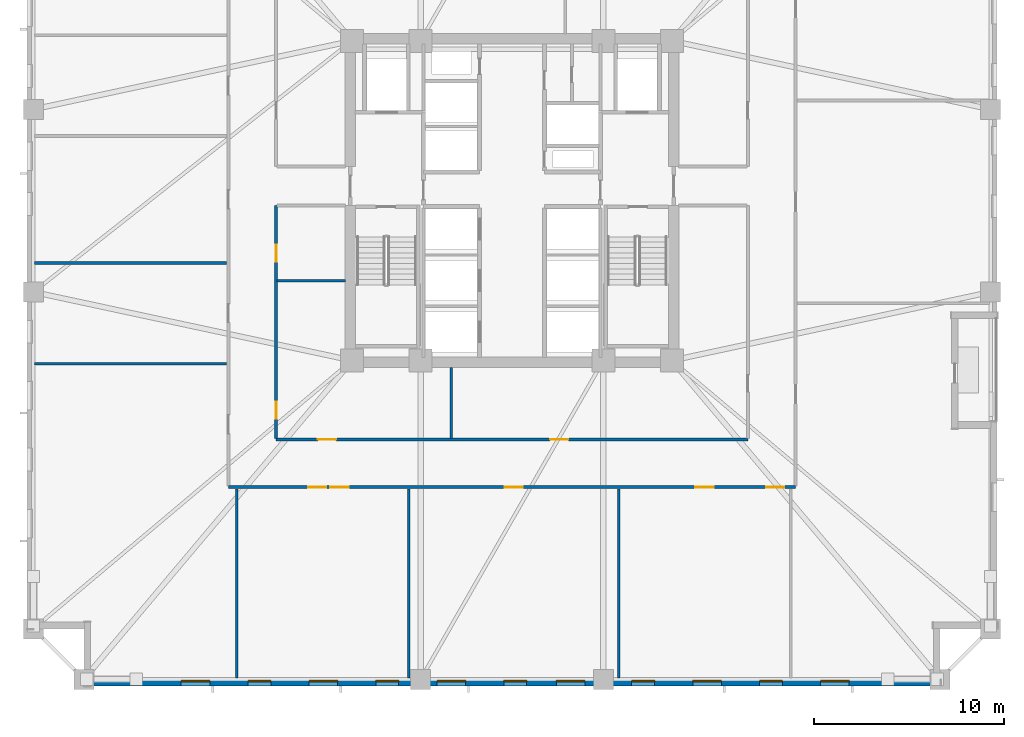
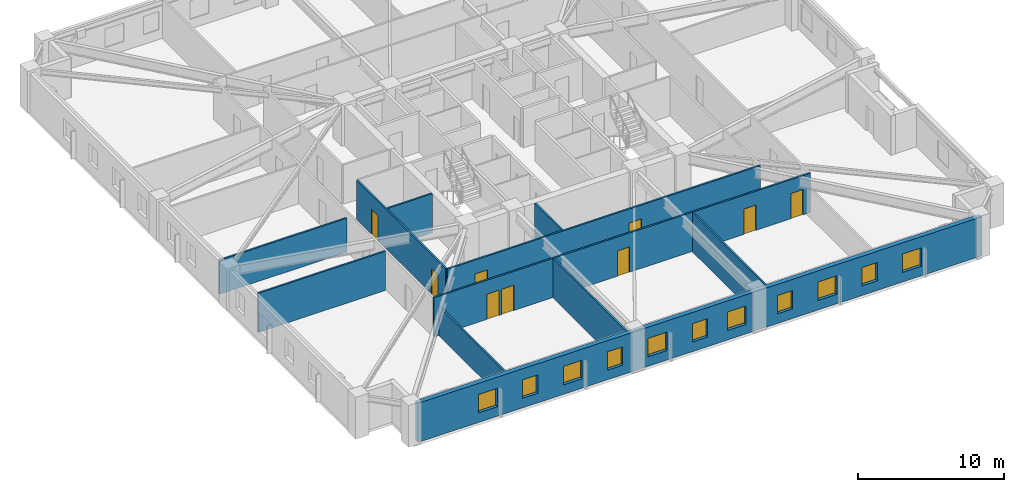
# One storey, part 2 of 11: 11 walls, 11 windows, 9 doors, 20 openings.
"""IFC4 building model written with IfcOpenShell, lengths in metres."""

from ifc_helpers import new_model, si_unit, direction, frame, frame_2d, origin, place, context, subcontext, project, spatial, rectangle, extrude, material, layer, layer_set, type_object, element, fill, save


model = new_model("IFC4")

# Units and contexts
model_context = context("Model", 3, precision=1e-05, world=origin(), true_north=direction((0.0, 1.0)))
body_context = subcontext(model_context, "Body", "Model", "MODEL_VIEW")
ifc_project = project(units=[si_unit("LENGTHUNIT", "METRE"), si_unit("AREAUNIT", "SQUARE_METRE"), si_unit("VOLUMEUNIT", "CUBIC_METRE"), si_unit("PLANEANGLEUNIT", "RADIAN"), si_unit("MASSUNIT", "GRAM", prefix="KILO")], contexts=[model_context])

# Site, building, storey
site_placement = place(None, origin())
site = spatial("IfcSite", under=ifc_project, at=site_placement, CompositionType="ELEMENT")
building_placement = place(site_placement, origin())
building = spatial("IfcBuilding", under=site, at=building_placement, Name="Cairnveth Concourse Tower", CompositionType="ELEMENT")
storey_placement = place(building_placement, frame((0.0, 0.0, 58.5)))
storey = spatial("IfcBuildingStorey", under=building, at=storey_placement, Name="L15", CompositionType="ELEMENT", Elevation=58.5)

# Wall, openings, doors
ifc_material_1 = material(Name="Gypsum Plasterboard Partition", Category="gypsum")
ifc_layer_1 = layer(ifc_material_1, 0.139892578125)
ifc_layer_set_1 = layer_set([ifc_layer_1], Name="Gypsum Plasterboard Partition")
wall_type_1 = type_object("IfcWallType", Name="GYPSUM STUD PARTITION 140", PredefinedType="PARTITIONING", material=ifc_layer_set_1)
wall_1_placement = place(storey_placement, frame((37.10009765625, 23.949951171875, 0.0), z_axis=(0.0, 0.0, 1.0), x_axis=(1.0, 0.0, 0.0)))
wall_1 = element("IfcWall", 1, at=wall_1_placement, inside=storey, type_object=wall_type_1, Name="Interior Wall IW-L15-038", PredefinedType="PARTITIONING", context=body_context, shape_type="SweptSolid", body=[
    extrude(rectangle(XDim=29.7998046875, YDim=0.139892578125, at=frame_2d((14.89990234375, 0.0))), origin(), (0.0, 0.0, 1.0), 3.280029296875),
])
opening_1_placement = place(wall_1_placement, frame((4.19140625, 0.0, 0.0)))
opening_1 = element("IfcOpeningElement", 2, at=opening_1_placement, cuts=wall_1, Name="Opening ID11", PredefinedType="OPENING", context=body_context, shape_type="SweptSolid", body=[
    extrude(rectangle(XDim=0.9599609375, YDim=2.1201171875, at=frame_2d((0.47998046875, 1.06005859375))), frame((0.0, 0.079833984375, 0.0), z_axis=(0.0, -1.0, 0.0), x_axis=(1.0, 0.0, 0.0)), (0.0, 0.0, 1.0), 0.159912109375),
])
opening_2_placement = place(wall_1_placement, frame((5.35791015625, 0.0, 0.0)))
opening_2 = element("IfcOpeningElement", 3, at=opening_2_placement, cuts=wall_1, Name="Opening ID11", PredefinedType="OPENING", context=body_context, shape_type="SweptSolid", body=[
    extrude(rectangle(XDim=0.9599609375, YDim=2.1201171875, at=frame_2d((0.47998046875, 1.06005859375))), frame((0.0, 0.079833984375, 0.0), z_axis=(0.0, -1.0, 0.0), x_axis=(1.0, 0.0, 0.0)), (0.0, 0.0, 1.0), 0.159912109375),
])
opening_3_placement = place(wall_1_placement, frame((14.510009765625, 0.0, 0.0)))
opening_3 = element("IfcOpeningElement", 4, at=opening_3_placement, cuts=wall_1, Name="Opening ID11", PredefinedType="OPENING", context=body_context, shape_type="SweptSolid", body=[
    extrude(rectangle(XDim=0.9599609375, YDim=2.1201171875, at=frame_2d((0.47998046875, 1.06005859375))), frame((0.0, 0.079833984375, 0.0), z_axis=(0.0, -1.0, 0.0), x_axis=(1.0, 0.0, 0.0)), (0.0, 0.0, 1.0), 0.159912109375),
])
opening_4_placement = place(wall_1_placement, frame((24.5419921875, 0.0, 0.0)))
opening_4 = element("IfcOpeningElement", 5, at=opening_4_placement, cuts=wall_1, Name="Opening ID11", PredefinedType="OPENING", context=body_context, shape_type="SweptSolid", body=[
    extrude(rectangle(XDim=0.9599609375, YDim=2.1201171875, at=frame_2d((0.47998046875, 1.06005859375))), frame((0.0, 0.079833984375, 0.0), z_axis=(0.0, -1.0, 0.0), x_axis=(1.0, 0.0, 0.0)), (0.0, 0.0, 1.0), 0.159912109375),
])
opening_5_placement = place(wall_1_placement, frame((28.260009765625, 0.0, 0.0)))
opening_5 = element("IfcOpeningElement", 6, at=opening_5_placement, cuts=wall_1, Name="Opening ID11", PredefinedType="OPENING", context=body_context, shape_type="SweptSolid", body=[
    extrude(rectangle(XDim=0.9599609375, YDim=2.1201171875, at=frame_2d((0.47998046875, 1.06005859375))), frame((0.0, 0.079833984375, 0.0), z_axis=(0.0, -1.0, 0.0), x_axis=(1.0, 0.0, 0.0)), (0.0, 0.0, 1.0), 0.159912109375),
])
ifc_material_2 = material(Name="Solid Core Hardwood Timber Leaf", Category="wood")
door_type_1 = type_object("IfcDoorType", Name="INTERIOR SINGLE DOOR 960X2150", OperationType="NOTDEFINED", PredefinedType="DOOR", material=ifc_material_2)
door_1_placement = place(opening_1_placement, origin())
door_1 = element("IfcDoor", 7, at=door_1_placement, inside=storey, type_object=door_type_1, Name="Office Door L15-S1", OperationType="SINGLE_SWING_LEFT", OverallHeight=2.1201171875, OverallWidth=0.9599609375, PredefinedType="DOOR", context=body_context, shape_type="SweptSolid", body=[
    extrude(rectangle(XDim=0.9599609375, YDim=2.1201171875, at=frame_2d((0.47998046875, 1.06005859375))), frame((0.0, 0.02490234375, 0.0), z_axis=(0.0, -1.0, 0.0), x_axis=(1.0, 0.0, 0.0)), (0.0, 0.0, 1.0), 0.050048828125),
])
fill(opening_1, door_1)
door_2_placement = place(opening_2_placement, origin())
door_2 = element("IfcDoor", 8, at=door_2_placement, inside=storey, type_object=door_type_1, Name="Office Door L15-S2", OperationType="SINGLE_SWING_RIGHT", OverallHeight=2.1201171875, OverallWidth=0.9599609375, PredefinedType="DOOR", context=body_context, shape_type="SweptSolid", body=[
    extrude(rectangle(XDim=0.9599609375, YDim=2.1201171875, at=frame_2d((0.47998046875, 1.06005859375))), frame((0.0, 0.02490234375, 0.0), z_axis=(0.0, -1.0, 0.0), x_axis=(1.0, 0.0, 0.0)), (0.0, 0.0, 1.0), 0.050048828125),
])
fill(opening_2, door_2)
door_3_placement = place(opening_3_placement, origin())
door_3 = element("IfcDoor", 9, at=door_3_placement, inside=storey, type_object=door_type_1, Name="Office Door L15-S3", OperationType="SINGLE_SWING_LEFT", OverallHeight=2.1201171875, OverallWidth=0.9599609375, PredefinedType="DOOR", context=body_context, shape_type="SweptSolid", body=[
    extrude(rectangle(XDim=0.9599609375, YDim=2.1201171875, at=frame_2d((0.47998046875, 1.06005859375))), frame((0.0, 0.02490234375, 0.0), z_axis=(0.0, -1.0, 0.0), x_axis=(1.0, 0.0, 0.0)), (0.0, 0.0, 1.0), 0.050048828125),
])
fill(opening_3, door_3)
door_4_placement = place(opening_4_placement, origin())
door_4 = element("IfcDoor", 10, at=door_4_placement, inside=storey, type_object=door_type_1, Name="Office Door L15-S4", OperationType="SINGLE_SWING_RIGHT", OverallHeight=2.1201171875, OverallWidth=0.9599609375, PredefinedType="DOOR", context=body_context, shape_type="SweptSolid", body=[
    extrude(rectangle(XDim=0.9599609375, YDim=2.1201171875, at=frame_2d((0.47998046875, 1.06005859375))), frame((0.0, 0.02490234375, 0.0), z_axis=(0.0, -1.0, 0.0), x_axis=(1.0, 0.0, 0.0)), (0.0, 0.0, 1.0), 0.050048828125),
])
fill(opening_4, door_4)
door_5_placement = place(opening_5_placement, origin())
door_5 = element("IfcDoor", 11, at=door_5_placement, inside=storey, type_object=door_type_1, Name="Office Door L15-S5", OperationType="SINGLE_SWING_LEFT", OverallHeight=2.1201171875, OverallWidth=0.9599609375, PredefinedType="DOOR", context=body_context, shape_type="SweptSolid", body=[
    extrude(rectangle(XDim=0.9599609375, YDim=2.1201171875, at=frame_2d((0.47998046875, 1.06005859375))), frame((0.0, 0.02490234375, 0.0), z_axis=(0.0, -1.0, 0.0), x_axis=(1.0, 0.0, 0.0)), (0.0, 0.0, 1.0), 0.050048828125),
])
fill(opening_5, door_5)

wall_2_placement = place(storey_placement, frame((39.60009765625, 26.449951171875, 0.0), z_axis=(0.0, 0.0, 1.0), x_axis=(1.0, 0.0, 0.0)))
wall_2 = element("IfcWall", 12, at=wall_2_placement, inside=storey, type_object=wall_type_1, Name="Interior Wall IW-L15-042", PredefinedType="PARTITIONING", context=body_context, shape_type="SweptSolid", body=[
    extrude(rectangle(XDim=24.7998046875, YDim=0.139892578125, at=frame_2d((12.39990234375, 0.0))), origin(), (0.0, 0.0, 1.0), 3.280029296875),
])
opening_6_placement = place(wall_2_placement, frame((2.199951171875, 0.0, 0.0)))
opening_6 = element("IfcOpeningElement", 13, at=opening_6_placement, cuts=wall_2, Name="Opening ID11", PredefinedType="OPENING", context=body_context, shape_type="SweptSolid", body=[
    extrude(rectangle(XDim=0.9599609375, YDim=2.1201171875, at=frame_2d((0.47998046875, 1.06005859375))), frame((0.0, 0.079833984375, 0.0), z_axis=(0.0, -1.0, 0.0), x_axis=(1.0, 0.0, 0.0)), (0.0, 0.0, 1.0), 0.159912109375),
])
opening_7_placement = place(wall_2_placement, frame((14.39990234375, 0.0, 0.0)))
opening_7 = element("IfcOpeningElement", 14, at=opening_7_placement, cuts=wall_2, Name="Opening ID11", PredefinedType="OPENING", context=body_context, shape_type="SweptSolid", body=[
    extrude(rectangle(XDim=0.9599609375, YDim=2.1201171875, at=frame_2d((0.47998046875, 1.06005859375))), frame((0.0, 0.079833984375, 0.0), z_axis=(0.0, -1.0, 0.0), x_axis=(1.0, 0.0, 0.0)), (0.0, 0.0, 1.0), 0.159912109375),
])
door_6_placement = place(opening_6_placement, origin())
door_6 = element("IfcDoor", 15, at=door_6_placement, inside=storey, type_object=door_type_1, Name="Interior Door DR-L15-014", OperationType="SINGLE_SWING_RIGHT", OverallHeight=2.1201171875, OverallWidth=0.9599609375, PredefinedType="DOOR", context=body_context, shape_type="SweptSolid", body=[
    extrude(rectangle(XDim=0.9599609375, YDim=2.1201171875, at=frame_2d((0.47998046875, 1.06005859375))), frame((0.0, 0.02490234375, 0.0), z_axis=(0.0, -1.0, 0.0), x_axis=(1.0, 0.0, 0.0)), (0.0, 0.0, 1.0), 0.050048828125),
])
fill(opening_6, door_6)
door_7_placement = place(opening_7_placement, origin())
door_7 = element("IfcDoor", 16, at=door_7_placement, inside=storey, type_object=door_type_1, Name="Interior Door DR-L15-015", OperationType="SINGLE_SWING_LEFT", OverallHeight=2.1201171875, OverallWidth=0.9599609375, PredefinedType="DOOR", context=body_context, shape_type="SweptSolid", body=[
    extrude(rectangle(XDim=0.9599609375, YDim=2.1201171875, at=frame_2d((0.47998046875, 1.06005859375))), frame((0.0, 0.02490234375, 0.0), z_axis=(0.0, -1.0, 0.0), x_axis=(1.0, 0.0, 0.0)), (0.0, 0.0, 1.0), 0.050048828125),
])
fill(opening_7, door_7)

wall_3_placement = place(storey_placement, frame((39.60009765625, 26.5048828125, 0.0), z_axis=(0.0, 0.0, 1.0), x_axis=(0.0, 1.0, 0.0)))
wall_3 = element("IfcWall", 17, at=wall_3_placement, inside=storey, type_object=wall_type_1, Name="Interior Wall IW-L15-044", PredefinedType="PARTITIONING", context=body_context, shape_type="SweptSolid", body=[
    extrude(rectangle(XDim=12.2451171875, YDim=0.139892578125, at=frame_2d((6.12255859375, 0.0))), origin(), (0.0, 0.0, 1.0), 3.280029296875),
])
opening_8_placement = place(wall_3_placement, frame((1.044921875, 0.0, 0.0)))
opening_8 = element("IfcOpeningElement", 18, at=opening_8_placement, cuts=wall_3, Name="Opening ID18", PredefinedType="OPENING", context=body_context, shape_type="SweptSolid", body=[
    extrude(rectangle(XDim=0.8798828125, YDim=2.10009765625, at=frame_2d((0.43994140625, 1.050048828125))), frame((0.0, 0.079833984375, 0.0), z_axis=(0.0, -1.0, 0.0), x_axis=(1.0, 0.0, 0.0)), (0.0, 0.0, 1.0), 0.159912109375),
])
opening_9_placement = place(wall_3_placement, frame((9.294921875, 0.0, 0.0)))
opening_9 = element("IfcOpeningElement", 19, at=opening_9_placement, cuts=wall_3, Name="Opening ID18", PredefinedType="OPENING", context=body_context, shape_type="SweptSolid", body=[
    extrude(rectangle(XDim=0.8798828125, YDim=2.10009765625, at=frame_2d((0.43994140625, 1.050048828125))), frame((0.0, 0.079833984375, 0.0), z_axis=(0.0, -1.0, 0.0), x_axis=(1.0, 0.0, 0.0)), (0.0, 0.0, 1.0), 0.159912109375),
])
door_type_2 = type_object("IfcDoorType", Name="INTERIOR SINGLE DOOR 880X2100", OperationType="NOTDEFINED", PredefinedType="DOOR", material=ifc_material_2)
door_8_placement = place(opening_8_placement, origin())
door_8 = element("IfcDoor", 20, at=door_8_placement, inside=storey, type_object=door_type_2, Name="Interior Door DR-L15-018", OperationType="SINGLE_SWING_RIGHT", OverallHeight=2.10009765625, OverallWidth=0.8798828125, PredefinedType="DOOR", context=body_context, shape_type="SweptSolid", body=[
    extrude(rectangle(XDim=0.8798828125, YDim=2.10009765625, at=frame_2d((0.43994140625, 1.050048828125))), frame((0.0, 0.02490234375, 0.0), z_axis=(0.0, -1.0, 0.0), x_axis=(1.0, 0.0, 0.0)), (0.0, 0.0, 1.0), 0.050048828125),
])
fill(opening_8, door_8)
door_9_placement = place(opening_9_placement, origin())
door_9 = element("IfcDoor", 21, at=door_9_placement, inside=storey, type_object=door_type_2, Name="Interior Door DR-L15-019", OperationType="SINGLE_SWING_LEFT", OverallHeight=2.10009765625, OverallWidth=0.8798828125, PredefinedType="DOOR", context=body_context, shape_type="SweptSolid", body=[
    extrude(rectangle(XDim=0.8798828125, YDim=2.10009765625, at=frame_2d((0.43994140625, 1.050048828125))), frame((0.0, 0.02490234375, 0.0), z_axis=(0.0, -1.0, 0.0), x_axis=(1.0, 0.0, 0.0)), (0.0, 0.0, 1.0), 0.050048828125),
])
fill(opening_9, door_9)

# Walls
wall_4_placement = place(storey_placement, frame((48.800048828125, 26.5048828125, 0.0), z_axis=(0.0, 0.0, 1.0), x_axis=(0.0, 1.0, 0.0)))
element("IfcWall", 22, at=wall_4_placement, inside=storey, type_object=wall_type_1, Name="Interior Wall IW-L15-052", PredefinedType="PARTITIONING", context=body_context, shape_type="SweptSolid", body=[
    extrude(rectangle(XDim=3.735107421875, YDim=0.139892578125, at=frame_2d((1.86767578125, 0.0))), origin(), (0.0, 0.0, 1.0), 3.280029296875),
])
wall_5_placement = place(storey_placement, frame((39.655029296875, 34.800048828125, 0.0), z_axis=(0.0, 0.0, 1.0), x_axis=(1.0, 0.0, 0.0)))
element("IfcWall", 23, at=wall_5_placement, inside=storey, type_object=wall_type_1, Name="Interior Wall IW-L15-054", PredefinedType="PARTITIONING", context=body_context, shape_type="SweptSolid", body=[
    extrude(rectangle(XDim=3.5849609375, YDim=0.139892578125, at=frame_2d((1.79248046875, 0.0))), origin(), (0.0, 0.0, 1.0), 3.280029296875),
])
wall_6_placement = place(storey_placement, frame((37.537109375, 13.919921875, 0.0), z_axis=(0.0, 0.0, 1.0), x_axis=(0.0, 1.0, 0.0)))
element("IfcWall", 24, at=wall_6_placement, inside=storey, type_object=wall_type_1, Name="Interior Wall IW-L15-055", PredefinedType="PARTITIONING", context=body_context, shape_type="SweptSolid", body=[
    extrude(rectangle(XDim=9.93017578125, YDim=0.139892578125, at=frame_2d((4.965087890625, 0.0))), origin(), (0.0, 0.0, 1.0), 2.43896484375),
])
for number, where, z_axis, x_axis, name in (
    (25, (46.5791015625, 13.919921875, 0.0), (0.0, 0.0, 1.0), (0.0, 1.0, 0.0), "Interior Wall IW-L15-056"),
    (26, (57.60107421875, 13.919921875, 0.0), (0.0, 0.0, 1.0), (0.0, 1.0, 0.0), "Interior Wall IW-L15-057"),
):
    element("IfcWall", number, at=place(storey_placement, frame(where, z_axis=z_axis, x_axis=x_axis)), inside=storey, type_object=wall_type_1, Name=name, PredefinedType="PARTITIONING", context=body_context, shape_type="SweptSolid", body=[
        extrude(rectangle(XDim=9.93017578125, YDim=0.139892578125, at=frame_2d((4.965087890625, 0.0))), origin(), (0.0, 0.0, 1.0), 3.280029296875),
    ])
wall_7_placement = place(storey_placement, frame((26.919921875, 30.439453125, 0.0), z_axis=(0.0, 0.0, 1.0), x_axis=(1.0, 0.0, 0.0)))
element("IfcWall", 27, at=wall_7_placement, inside=storey, type_object=wall_type_1, Name="Interior Wall IW-L15-062", PredefinedType="PARTITIONING", context=body_context, shape_type="SweptSolid", body=[
    extrude(rectangle(XDim=10.080078125, YDim=0.139892578125, at=frame_2d((5.0400390625, 0.0))), origin(), (0.0, 0.0, 1.0), 3.280029296875),
])
wall_8_placement = place(storey_placement, frame((26.919921875, 35.7265625, 0.0), z_axis=(0.0, 0.0, 1.0), x_axis=(1.0, 0.0, 0.0)))
element("IfcWall", 28, at=wall_8_placement, inside=storey, type_object=wall_type_1, Name="Interior Wall IW-L15-063", PredefinedType="PARTITIONING", context=body_context, shape_type="SweptSolid", body=[
    extrude(rectangle(XDim=10.080078125, YDim=0.139892578125, at=frame_2d((5.0400390625, 0.0))), origin(), (0.0, 0.0, 1.0), 2.84912109375),
])

# Wall, openings, windows
ifc_material_3 = material(Name="Hawthorn Red-Ochre Fired Clay Brick Masonry", Category="masonry")
ifc_layer_2 = layer(ifc_material_3, 0.360107421875)
ifc_layer_set_2 = layer_set([ifc_layer_2], Name="Hawthorn Red-Ochre Fired Clay Brick Masonry")
wall_type_2 = type_object("IfcWallType", Name="ZONE 1 BRICK PIER SPANDREL WALL 360", PredefinedType="SOLIDWALL", material=ifc_layer_set_2)
wall_9_placement = place(storey_placement, frame((74.5, 13.679931640625, 0.0), z_axis=(0.0, 0.0, 1.0), x_axis=(-1.0, 0.0, 0.0)))
wall_9 = element("IfcWall", 29, at=wall_9_placement, inside=storey, type_object=wall_type_2, Name="Exterior Wall EW-L15-S03", PredefinedType="SOLIDWALL", context=body_context, shape_type="SweptSolid", body=[
    extrude(rectangle(XDim=44.662109375, YDim=0.360107421875, at=frame_2d((22.3310546875, 0.0))), origin(), (0.0, 0.0, 1.0), 3.280029296875),
])
opening_10_placement = place(wall_9_placement, frame((4.780029296875, 0.0, 0.800048828125)))
opening_10 = element("IfcOpeningElement", 30, at=opening_10_placement, cuts=wall_9, Name="Opening W03", PredefinedType="OPENING", context=body_context, shape_type="SweptSolid", body=[
    extrude(rectangle(XDim=1.5, YDim=1.5439453125, at=frame_2d((0.75, 0.77197265625))), frame((0.0, 0.18994140625, 0.0), z_axis=(0.0, -1.0, 0.0), x_axis=(1.0, 0.0, 0.0)), (0.0, 0.0, 1.0), 0.380126953125),
])
opening_11_placement = place(wall_9_placement, frame((8.290283203125, 0.0, 0.800048828125)))
opening_11 = element("IfcOpeningElement", 31, at=opening_11_placement, cuts=wall_9, Name="Opening W01", PredefinedType="OPENING", context=body_context, shape_type="SweptSolid", body=[
    extrude(rectangle(XDim=1.199951171875, YDim=1.5439453125, at=frame_2d((0.60009765625, 0.77197265625))), frame((0.0, 0.18994140625, 0.0), z_axis=(0.0, -1.0, 0.0), x_axis=(1.0, 0.0, 0.0)), (0.0, 0.0, 1.0), 0.380126953125),
])
opening_12_placement = place(wall_9_placement, frame((11.50048828125, 0.0, 0.800048828125)))
opening_12 = element("IfcOpeningElement", 32, at=opening_12_placement, cuts=wall_9, Name="Opening W03", PredefinedType="OPENING", context=body_context, shape_type="SweptSolid", body=[
    extrude(rectangle(XDim=1.5, YDim=1.5439453125, at=frame_2d((0.75, 0.77197265625))), frame((0.0, 0.18994140625, 0.0), z_axis=(0.0, -1.0, 0.0), x_axis=(1.0, 0.0, 0.0)), (0.0, 0.0, 1.0), 0.380126953125),
])
opening_13_placement = place(wall_9_placement, frame((15.010498046875, 0.0, 0.800048828125)))
opening_13 = element("IfcOpeningElement", 33, at=opening_13_placement, cuts=wall_9, Name="Opening W01", PredefinedType="OPENING", context=body_context, shape_type="SweptSolid", body=[
    extrude(rectangle(XDim=1.199951171875, YDim=1.5439453125, at=frame_2d((0.60009765625, 0.77197265625))), frame((0.0, 0.18994140625, 0.0), z_axis=(0.0, -1.0, 0.0), x_axis=(1.0, 0.0, 0.0)), (0.0, 0.0, 1.0), 0.380126953125),
])
opening_14_placement = place(wall_9_placement, frame((18.6708984375, 0.0, 0.800048828125)))
opening_14 = element("IfcOpeningElement", 34, at=opening_14_placement, cuts=wall_9, Name="Opening W03", PredefinedType="OPENING", context=body_context, shape_type="SweptSolid", body=[
    extrude(rectangle(XDim=1.5, YDim=1.5439453125, at=frame_2d((0.75, 0.77197265625))), frame((0.0, 0.18994140625, 0.0), z_axis=(0.0, -1.0, 0.0), x_axis=(1.0, 0.0, 0.0)), (0.0, 0.0, 1.0), 0.380126953125),
])
opening_15_placement = place(wall_9_placement, frame((21.73095703125, 0.0, 0.800048828125)))
opening_15 = element("IfcOpeningElement", 35, at=opening_15_placement, cuts=wall_9, Name="Opening W01", PredefinedType="OPENING", context=body_context, shape_type="SweptSolid", body=[
    extrude(rectangle(XDim=1.199951171875, YDim=1.5439453125, at=frame_2d((0.60009765625, 0.77197265625))), frame((0.0, 0.18994140625, 0.0), z_axis=(0.0, -1.0, 0.0), x_axis=(1.0, 0.0, 0.0)), (0.0, 0.0, 1.0), 0.380126953125),
])
opening_16_placement = place(wall_9_placement, frame((24.941162109375, 0.0, 0.800048828125)))
opening_16 = element("IfcOpeningElement", 36, at=opening_16_placement, cuts=wall_9, Name="Opening W03", PredefinedType="OPENING", context=body_context, shape_type="SweptSolid", body=[
    extrude(rectangle(XDim=1.5, YDim=1.5439453125, at=frame_2d((0.75, 0.77197265625))), frame((0.0, 0.18994140625, 0.0), z_axis=(0.0, -1.0, 0.0), x_axis=(1.0, 0.0, 0.0)), (0.0, 0.0, 1.0), 0.380126953125),
])
opening_17_placement = place(wall_9_placement, frame((28.451416015625, 0.0, 0.800048828125)))
opening_17 = element("IfcOpeningElement", 37, at=opening_17_placement, cuts=wall_9, Name="Opening W01", PredefinedType="OPENING", context=body_context, shape_type="SweptSolid", body=[
    extrude(rectangle(XDim=1.199951171875, YDim=1.5439453125, at=frame_2d((0.60009765625, 0.77197265625))), frame((0.0, 0.18994140625, 0.0), z_axis=(0.0, -1.0, 0.0), x_axis=(1.0, 0.0, 0.0)), (0.0, 0.0, 1.0), 0.380126953125),
])
opening_18_placement = place(wall_9_placement, frame((31.66162109375, 0.0, 0.800048828125)))
opening_18 = element("IfcOpeningElement", 38, at=opening_18_placement, cuts=wall_9, Name="Opening W03", PredefinedType="OPENING", context=body_context, shape_type="SweptSolid", body=[
    extrude(rectangle(XDim=1.5, YDim=1.5439453125, at=frame_2d((0.75, 0.77197265625))), frame((0.0, 0.18994140625, 0.0), z_axis=(0.0, -1.0, 0.0), x_axis=(1.0, 0.0, 0.0)), (0.0, 0.0, 1.0), 0.380126953125),
])
opening_19_placement = place(wall_9_placement, frame((35.171630859375, 0.0, 0.800048828125)))
opening_19 = element("IfcOpeningElement", 39, at=opening_19_placement, cuts=wall_9, Name="Opening W01", PredefinedType="OPENING", context=body_context, shape_type="SweptSolid", body=[
    extrude(rectangle(XDim=1.199951171875, YDim=1.5439453125, at=frame_2d((0.60009765625, 0.77197265625))), frame((0.0, 0.18994140625, 0.0), z_axis=(0.0, -1.0, 0.0), x_axis=(1.0, 0.0, 0.0)), (0.0, 0.0, 1.0), 0.380126953125),
])
opening_20_placement = place(wall_9_placement, frame((38.3818359375, 0.0, 0.800048828125)))
opening_20 = element("IfcOpeningElement", 40, at=opening_20_placement, cuts=wall_9, Name="Opening W03", PredefinedType="OPENING", context=body_context, shape_type="SweptSolid", body=[
    extrude(rectangle(XDim=1.5, YDim=1.5439453125, at=frame_2d((0.75, 0.77197265625))), frame((0.0, 0.18994140625, 0.0), z_axis=(0.0, -1.0, 0.0), x_axis=(1.0, 0.0, 0.0)), (0.0, 0.0, 1.0), 0.380126953125),
])
ifc_material_4 = material(Name="Double Glazed Low-E Clear Glass", Category="glass")
window_type_1 = type_object("IfcWindowType", Name="DEEP-SET GOTHIC LANCET WINDOW 1200X1800", PartitioningType="DOUBLE_PANEL_VERTICAL", PredefinedType="WINDOW", material=ifc_material_4)
window_1_placement = place(opening_11_placement, origin())
window_1 = element("IfcWindow", 41, at=window_1_placement, inside=storey, type_object=window_type_1, Name="Gothic Lancet Window L15-3-2", OverallHeight=1.5439453125, OverallWidth=1.199951171875, PartitioningType="SINGLE_PANEL", PredefinedType="WINDOW", context=body_context, shape_type="SweptSolid", body=[
    extrude(rectangle(XDim=1.199951171875, YDim=1.5439453125, at=frame_2d((0.60009765625, 0.77197265625))), frame((0.0, -0.050048828125, 0.0), z_axis=(0.0, -1.0, 0.0), x_axis=(1.0, 0.0, 0.0)), (0.0, 0.0, 1.0), 0.06005859375),
])
fill(opening_11, window_1)
window_2_placement = place(opening_13_placement, origin())
window_2 = element("IfcWindow", 42, at=window_2_placement, inside=storey, type_object=window_type_1, Name="Gothic Lancet Window L15-3-4", OverallHeight=1.5439453125, OverallWidth=1.199951171875, PartitioningType="SINGLE_PANEL", PredefinedType="WINDOW", context=body_context, shape_type="SweptSolid", body=[
    extrude(rectangle(XDim=1.199951171875, YDim=1.5439453125, at=frame_2d((0.60009765625, 0.77197265625))), frame((0.0, -0.050048828125, 0.0), z_axis=(0.0, -1.0, 0.0), x_axis=(1.0, 0.0, 0.0)), (0.0, 0.0, 1.0), 0.06005859375),
])
fill(opening_13, window_2)
window_3_placement = place(opening_15_placement, origin())
window_3 = element("IfcWindow", 43, at=window_3_placement, inside=storey, type_object=window_type_1, Name="Gothic Lancet Window L15-3-6", OverallHeight=1.5439453125, OverallWidth=1.199951171875, PartitioningType="SINGLE_PANEL", PredefinedType="WINDOW", context=body_context, shape_type="SweptSolid", body=[
    extrude(rectangle(XDim=1.199951171875, YDim=1.5439453125, at=frame_2d((0.60009765625, 0.77197265625))), frame((0.0, -0.050048828125, 0.0), z_axis=(0.0, -1.0, 0.0), x_axis=(1.0, 0.0, 0.0)), (0.0, 0.0, 1.0), 0.06005859375),
])
fill(opening_15, window_3)
window_4_placement = place(opening_17_placement, origin())
window_4 = element("IfcWindow", 44, at=window_4_placement, inside=storey, type_object=window_type_1, Name="Gothic Lancet Window L15-3-8", OverallHeight=1.5439453125, OverallWidth=1.199951171875, PartitioningType="SINGLE_PANEL", PredefinedType="WINDOW", context=body_context, shape_type="SweptSolid", body=[
    extrude(rectangle(XDim=1.199951171875, YDim=1.5439453125, at=frame_2d((0.60009765625, 0.77197265625))), frame((0.0, -0.050048828125, 0.0), z_axis=(0.0, -1.0, 0.0), x_axis=(1.0, 0.0, 0.0)), (0.0, 0.0, 1.0), 0.06005859375),
])
fill(opening_17, window_4)
window_5_placement = place(opening_19_placement, origin())
window_5 = element("IfcWindow", 45, at=window_5_placement, inside=storey, type_object=window_type_1, Name="Gothic Lancet Window L15-3-10", OverallHeight=1.5439453125, OverallWidth=1.199951171875, PartitioningType="SINGLE_PANEL", PredefinedType="WINDOW", context=body_context, shape_type="SweptSolid", body=[
    extrude(rectangle(XDim=1.199951171875, YDim=1.5439453125, at=frame_2d((0.60009765625, 0.77197265625))), frame((0.0, -0.050048828125, 0.0), z_axis=(0.0, -1.0, 0.0), x_axis=(1.0, 0.0, 0.0)), (0.0, 0.0, 1.0), 0.06005859375),
])
fill(opening_19, window_5)
window_type_2 = type_object("IfcWindowType", Name="DEEP-SET GOTHIC LANCET WINDOW 1500X1800", PartitioningType="DOUBLE_PANEL_VERTICAL", PredefinedType="WINDOW", material=ifc_material_4)
window_6_placement = place(opening_10_placement, origin())
window_6 = element("IfcWindow", 46, at=window_6_placement, inside=storey, type_object=window_type_2, Name="Gothic Lancet Window L15-3-1", OverallHeight=1.5439453125, OverallWidth=1.5, PartitioningType="SINGLE_PANEL", PredefinedType="WINDOW", context=body_context, shape_type="SweptSolid", body=[
    extrude(rectangle(XDim=1.5, YDim=1.5439453125, at=frame_2d((0.75, 0.77197265625))), frame((0.0, -0.050048828125, 0.0), z_axis=(0.0, -1.0, 0.0), x_axis=(1.0, 0.0, 0.0)), (0.0, 0.0, 1.0), 0.06005859375),
])
fill(opening_10, window_6)
window_7_placement = place(opening_12_placement, origin())
window_7 = element("IfcWindow", 47, at=window_7_placement, inside=storey, type_object=window_type_2, Name="Gothic Lancet Window L15-3-3", OverallHeight=1.5439453125, OverallWidth=1.5, PartitioningType="SINGLE_PANEL", PredefinedType="WINDOW", context=body_context, shape_type="SweptSolid", body=[
    extrude(rectangle(XDim=1.5, YDim=1.5439453125, at=frame_2d((0.75, 0.77197265625))), frame((0.0, -0.050048828125, 0.0), z_axis=(0.0, -1.0, 0.0), x_axis=(1.0, 0.0, 0.0)), (0.0, 0.0, 1.0), 0.06005859375),
])
fill(opening_12, window_7)
window_8_placement = place(opening_14_placement, origin())
window_8 = element("IfcWindow", 48, at=window_8_placement, inside=storey, type_object=window_type_2, Name="Gothic Lancet Window L15-3-5", OverallHeight=1.5439453125, OverallWidth=1.5, PartitioningType="SINGLE_PANEL", PredefinedType="WINDOW", context=body_context, shape_type="SweptSolid", body=[
    extrude(rectangle(XDim=1.5, YDim=1.5439453125, at=frame_2d((0.75, 0.77197265625))), frame((0.0, -0.050048828125, 0.0), z_axis=(0.0, -1.0, 0.0), x_axis=(1.0, 0.0, 0.0)), (0.0, 0.0, 1.0), 0.06005859375),
])
fill(opening_14, window_8)
window_9_placement = place(opening_16_placement, origin())
window_9 = element("IfcWindow", 49, at=window_9_placement, inside=storey, type_object=window_type_2, Name="Gothic Lancet Window L15-3-7", OverallHeight=1.5439453125, OverallWidth=1.5, PartitioningType="SINGLE_PANEL", PredefinedType="WINDOW", context=body_context, shape_type="SweptSolid", body=[
    extrude(rectangle(XDim=1.5, YDim=1.5439453125, at=frame_2d((0.75, 0.77197265625))), frame((0.0, -0.050048828125, 0.0), z_axis=(0.0, -1.0, 0.0), x_axis=(1.0, 0.0, 0.0)), (0.0, 0.0, 1.0), 0.06005859375),
])
fill(opening_16, window_9)
window_10_placement = place(opening_18_placement, origin())
window_10 = element("IfcWindow", 50, at=window_10_placement, inside=storey, type_object=window_type_2, Name="Gothic Lancet Window L15-3-9", OverallHeight=1.5439453125, OverallWidth=1.5, PartitioningType="SINGLE_PANEL", PredefinedType="WINDOW", context=body_context, shape_type="SweptSolid", body=[
    extrude(rectangle(XDim=1.5, YDim=1.5439453125, at=frame_2d((0.75, 0.77197265625))), frame((0.0, -0.050048828125, 0.0), z_axis=(0.0, -1.0, 0.0), x_axis=(1.0, 0.0, 0.0)), (0.0, 0.0, 1.0), 0.06005859375),
])
fill(opening_18, window_10)
window_11_placement = place(opening_20_placement, origin())
window_11 = element("IfcWindow", 51, at=window_11_placement, inside=storey, type_object=window_type_2, Name="Gothic Lancet Window L15-3-11", OverallHeight=1.5439453125, OverallWidth=1.5, PartitioningType="SINGLE_PANEL", PredefinedType="WINDOW", context=body_context, shape_type="SweptSolid", body=[
    extrude(rectangle(XDim=1.5, YDim=1.5439453125, at=frame_2d((0.75, 0.77197265625))), frame((0.0, -0.050048828125, 0.0), z_axis=(0.0, -1.0, 0.0), x_axis=(1.0, 0.0, 0.0)), (0.0, 0.0, 1.0), 0.06005859375),
])
fill(opening_20, window_11)

save(model, "model.ifc")
